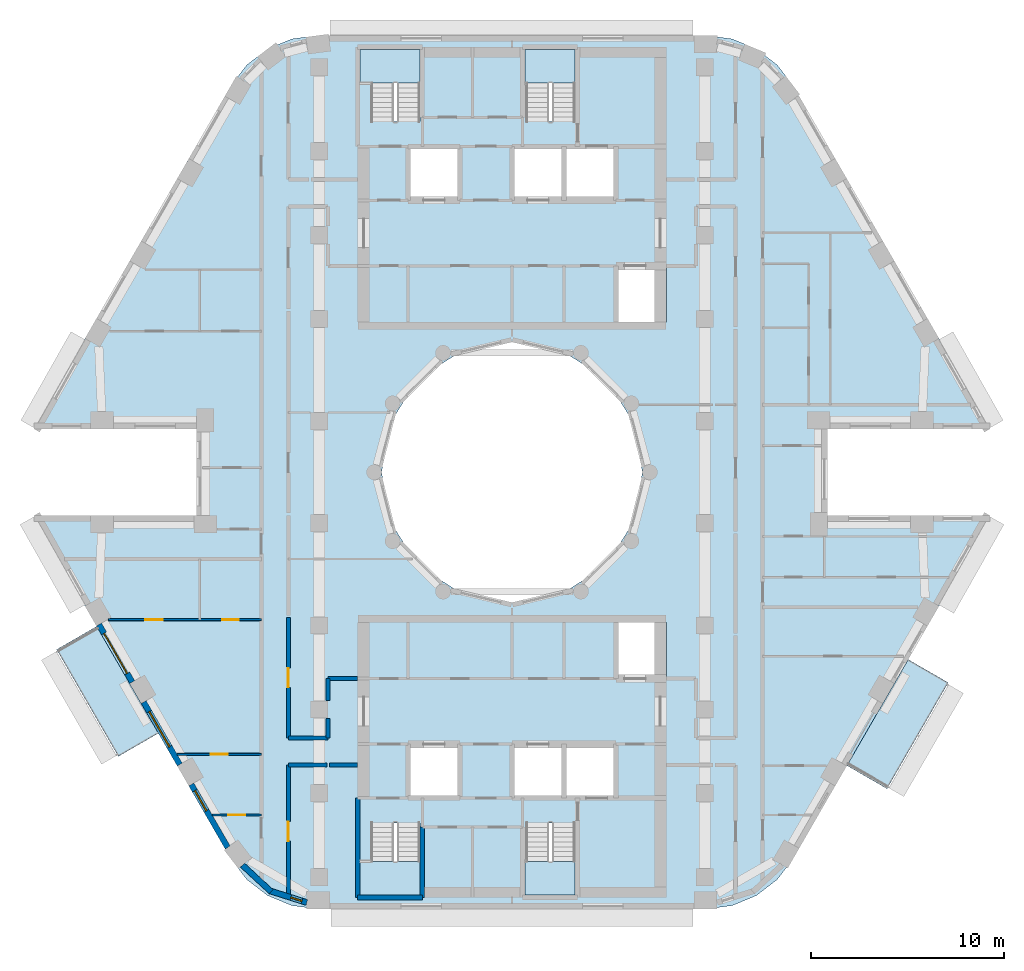
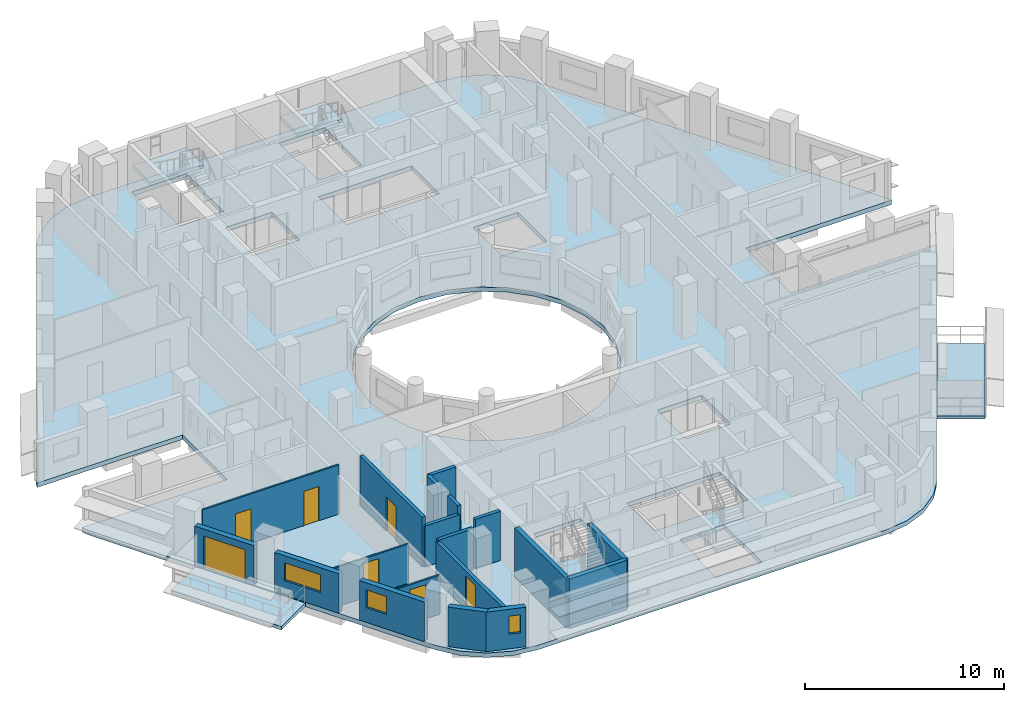
# One storey, part 2 of 16: 19 walls, 7 doors, 7 slabs, 3 windows, 10 openings, 4 elements without a shape of their own.
"""IFC4 building model written with IfcOpenShell, lengths in metres."""

from ifc_helpers import new_model, si_unit, direction, frame, frame_2d, origin, place, context, subcontext, project, spatial, polyline, rectangle, outline, extrude, material, layer, layer_set, type_object, element, fill, aggregate, save


model = new_model("IFC4")

# Units and contexts
model_context = context("Model", 3, precision=1e-05, world=origin(), true_north=direction((0.0, 1.0)))
body_context = subcontext(model_context, "Body", "Model", "MODEL_VIEW")
ifc_project = project(units=[si_unit("LENGTHUNIT", "METRE"), si_unit("AREAUNIT", "SQUARE_METRE"), si_unit("VOLUMEUNIT", "CUBIC_METRE"), si_unit("PLANEANGLEUNIT", "RADIAN"), si_unit("MASSUNIT", "GRAM", prefix="KILO")], contexts=[model_context])

# Site, building, storey
site_placement = place(None, origin())
site = spatial("IfcSite", under=ifc_project, at=site_placement, CompositionType="ELEMENT")
building_placement = place(site_placement, origin())
building = spatial("IfcBuilding", under=site, at=building_placement, Name="Nakaniwa Court", CompositionType="ELEMENT")
storey_placement = place(building_placement, frame((0.0, 0.0, 196.5)))
storey = spatial("IfcBuildingStorey", under=building, at=storey_placement, Name="L51", CompositionType="ELEMENT", Elevation=196.5)

# Slabs
ifc_material_1 = material(Name="Charcoal ceramic paver")
ifc_layer_1 = layer(ifc_material_1, 0.02, Name="Ceramic paver")
ifc_material_2 = material(Name="Cement sand screed")
ifc_layer_2 = layer(ifc_material_2, 0.03, Name="Falls screed")
ifc_material_3 = material(Name="Concrete C40/50", Category="concrete")
ifc_layer_3 = layer(ifc_material_3, 0.15, Name="Balcony slab")
ifc_layer_set_1 = layer_set([ifc_layer_1, ifc_layer_2, ifc_layer_3], Name="Concrete C40/50 balcony slab with ceramic paver finish")
slab_type_1 = type_object("IfcSlabType", Name="Balcony slab 200", PredefinedType="FLOOR", material=ifc_layer_set_1)
slab_1_placement = place(storey_placement, frame((0.0, 0.0, -0.25)))
element("IfcSlab", 1, at=slab_1_placement, inside=storey, type_object=slab_type_1, Name="L51 balcony 01", PredefinedType="FLOOR", context=body_context, shape_type="SweptSolid", body=[
    extrude(outline(polyline([(58.46142578125, 72.005859375), (61.660888671875, 66.464111328125), (59.58251953125, 65.26416015625), (56.383056640625, 70.805908203125), (58.46142578125, 72.005859375)])), origin(), (0.0, 0.0, 1.0), 0.199951171875),
])
slab_2_placement = place(storey_placement, frame((0.0, 0.0, -0.25)))
element("IfcSlab", 2, at=slab_2_placement, inside=storey, type_object=slab_type_1, Name="L51 balcony 02", PredefinedType="FLOOR", context=body_context, shape_type="SweptSolid", body=[
    extrude(outline(polyline([(97.370849609375, 64.787353515625), (100.546875, 70.287841796875), (102.625244140625, 69.087890625), (99.44921875, 63.58740234375), (97.370849609375, 64.787353515625)])), origin(), (0.0, 0.0, 1.0), 0.199951171875),
])
ifc_material_4 = material(Name="Concrete C80/100", Category="concrete")
ifc_layer_4 = layer(ifc_material_4, 0.27490234375)
ifc_layer_set_2 = layer_set([ifc_layer_4], Name="Concrete C80/100")
slab_type_2 = type_object("IfcSlabType", Name="Concrete C80/100 post tensioned floor slab 275", PredefinedType="FLOOR", material=ifc_layer_set_2)
slab_3_placement = place(storey_placement, frame((0.0, 0.0, -0.27490234375)))
element("IfcSlab", 3, at=slab_3_placement, inside=storey, type_object=slab_type_2, Name="FLOOR SLAB", PredefinedType="FLOOR", context=body_context, shape_type="SweptSolid", body=[
    extrude(outline(polyline([(96.349609375, 82.25), (104.7978515625, 82.25), (104.65283203125, 82.60009765625), (94.578125, 100.050048828125), (93.751708984375, 101.126953125), (92.6748046875, 101.953369140625), (91.420654296875, 102.472900390625), (90.07470703125, 102.64990234375), (69.92529296875, 102.64990234375), (68.579345703125, 102.472900390625), (67.3251953125, 101.953369140625), (66.248291015625, 101.126953125), (65.421875, 100.050048828125), (55.34716796875, 82.60009765625), (55.2021484375, 82.25), (63.650390625, 82.25), (63.650390625, 77.75), (55.2021484375, 77.75), (55.34716796875, 77.39990234375), (65.421875, 59.949951171875), (66.248291015625, 58.873046875), (67.3251953125, 58.046630859375), (68.579345703125, 57.527099609375), (69.92529296875, 57.35009765625), (90.07470703125, 57.35009765625), (91.420654296875, 57.527099609375), (92.6748046875, 58.046630859375), (93.751708984375, 58.873046875), (94.578125, 59.949951171875), (104.65283203125, 77.39990234375), (104.7978515625, 77.75), (96.349609375, 77.75), (96.349609375, 82.25)]), holes=[polyline([(81.501953125, 86.580810546875), (80.0, 86.75), (78.498046875, 86.580810546875), (77.0712890625, 86.08154296875), (75.79150390625, 85.27734375), (74.72265625, 84.20849609375), (73.91845703125, 82.9287109375), (73.419189453125, 81.501953125), (73.25, 80.0), (73.419189453125, 78.498046875), (73.91845703125, 77.0712890625), (74.72265625, 75.79150390625), (75.79150390625, 74.72265625), (77.0712890625, 73.91845703125), (78.498046875, 73.419189453125), (80.0, 73.25), (81.501953125, 73.419189453125), (82.9287109375, 73.91845703125), (84.20849609375, 74.72265625), (85.27734375, 75.79150390625), (86.08154296875, 77.0712890625), (86.580810546875, 78.498046875), (86.75, 80.0), (86.580810546875, 81.501953125), (86.08154296875, 82.9287109375), (85.27734375, 84.20849609375), (84.20849609375, 85.27734375), (82.9287109375, 86.08154296875), (81.501953125, 86.580810546875)]), polyline([(72.675048828125, 61.81005859375), (72.675048828125, 59.864990234375), (72.0849609375, 59.864990234375), (72.0849609375, 58.034912109375), (75.264892578125, 58.034912109375), (75.264892578125, 59.864990234375), (75.22509765625, 59.864990234375), (75.22509765625, 61.81005859375), (72.675048828125, 61.81005859375)]), polyline([(77.300048828125, 65.89990234375), (74.60009765625, 65.89990234375), (74.60009765625, 63.10009765625), (77.300048828125, 63.10009765625), (77.300048828125, 65.89990234375)]), polyline([(80.0, 65.89990234375), (80.0, 63.10009765625), (82.699951171875, 63.10009765625), (85.39990234375, 63.10009765625), (85.39990234375, 65.89990234375), (82.699951171875, 65.89990234375), (80.0, 65.89990234375)]), polyline([(77.300048828125, 96.89990234375), (74.60009765625, 96.89990234375), (74.60009765625, 94.10009765625), (77.300048828125, 94.10009765625), (77.300048828125, 96.89990234375)]), polyline([(80.0, 96.89990234375), (80.0, 94.10009765625), (82.699951171875, 94.10009765625), (85.39990234375, 94.10009765625), (85.39990234375, 96.89990234375), (82.699951171875, 96.89990234375), (80.0, 96.89990234375)]), polyline([(75.264892578125, 100.135009765625), (75.264892578125, 101.965087890625), (72.0849609375, 101.965087890625), (72.0849609375, 100.135009765625), (72.675048828125, 100.135009765625), (72.675048828125, 98.18994140625), (75.22509765625, 98.18994140625), (75.22509765625, 100.135009765625), (75.264892578125, 100.135009765625)]), polyline([(83.27490234375, 61.81005859375), (80.72509765625, 61.81005859375), (80.72509765625, 59.864990234375), (80.635009765625, 59.864990234375), (80.635009765625, 58.034912109375), (83.31494140625, 58.034912109375), (83.31494140625, 59.864990234375), (83.27490234375, 59.864990234375), (83.27490234375, 61.81005859375)]), polyline([(88.0, 72.199951171875), (85.39990234375, 72.199951171875), (85.39990234375, 69.300048828125), (88.0, 69.300048828125), (88.0, 72.199951171875)]), polyline([(88.0, 90.699951171875), (85.39990234375, 90.699951171875), (85.39990234375, 87.800048828125), (88.0, 87.800048828125), (88.0, 90.699951171875)]), polyline([(83.31494140625, 100.135009765625), (83.31494140625, 101.965087890625), (80.635009765625, 101.965087890625), (80.635009765625, 100.135009765625), (80.72509765625, 100.135009765625), (80.72509765625, 98.18994140625), (83.27490234375, 98.18994140625), (83.27490234375, 100.135009765625), (83.31494140625, 100.135009765625)])]), origin(), (0.0, 0.0, 1.0), 0.27490234375),
])

# Stair, slab
stair_type = type_object("IfcStairType", Name="Dog leg stair 1200 wide 18 risers", PredefinedType="HALF_TURN_STAIR", material=ifc_material_4)
stair_1_placement = place(storey_placement, origin())
stair_1 = element("IfcStair", 4, at=stair_1_placement, inside=storey, type_object=stair_type, Name="L51 Stair ST1", PredefinedType="HALF_TURN_STAIR")
ifc_layer_5 = layer(ifc_material_4, 0.199951171875)
ifc_layer_set_3 = layer_set([ifc_layer_5], Name="Concrete C80/100")
slab_type_3 = type_object("IfcSlabType", Name="Stair landing concrete", PredefinedType="LANDING", material=ifc_layer_set_3)
slab_4_placement = place(storey_placement, frame((0.0, 0.0, 1.449951171875)))
slab_4 = element("IfcSlab", 5, at=slab_4_placement, type_object=slab_type_3, Name="ST1 landing 1", PredefinedType="LANDING", context=body_context, shape_type="SweptSolid", body=[
    extrude(outline(polyline([(75.22509765625, 100.175048828125), (75.22509765625, 101.925048828125), (72.125, 101.925048828125), (72.125, 100.175048828125), (75.22509765625, 100.175048828125)])), origin(), (0.0, 0.0, 1.0), 0.199951171875),
])
aggregate(stair_1, [slab_4])

stair_2_placement = place(storey_placement, origin())
stair_2 = element("IfcStair", 6, at=stair_2_placement, inside=storey, type_object=stair_type, Name="L51 Stair ST2", PredefinedType="HALF_TURN_STAIR")
slab_5_placement = place(storey_placement, frame((0.0, 0.0, 1.449951171875)))
slab_5 = element("IfcSlab", 7, at=slab_5_placement, type_object=slab_type_3, Name="ST2 landing 1", PredefinedType="LANDING", context=body_context, shape_type="SweptSolid", body=[
    extrude(outline(polyline([(83.27490234375, 100.175048828125), (83.27490234375, 101.925048828125), (80.675048828125, 101.925048828125), (80.675048828125, 100.175048828125), (83.27490234375, 100.175048828125)])), origin(), (0.0, 0.0, 1.0), 0.199951171875),
])
aggregate(stair_2, [slab_5])

stair_3_placement = place(storey_placement, origin())
stair_3 = element("IfcStair", 8, at=stair_3_placement, inside=storey, type_object=stair_type, Name="L51 Stair ST3", PredefinedType="HALF_TURN_STAIR")
slab_6_placement = place(storey_placement, frame((0.0, 0.0, 1.449951171875)))
slab_6 = element("IfcSlab", 9, at=slab_6_placement, type_object=slab_type_3, Name="ST3 landing 1", PredefinedType="LANDING", context=body_context, shape_type="SweptSolid", body=[
    extrude(outline(polyline([(75.22509765625, 58.074951171875), (75.22509765625, 59.824951171875), (72.125, 59.824951171875), (72.125, 58.074951171875), (75.22509765625, 58.074951171875)])), origin(), (0.0, 0.0, 1.0), 0.199951171875),
])
aggregate(stair_3, [slab_6])

stair_4_placement = place(storey_placement, origin())
stair_4 = element("IfcStair", 10, at=stair_4_placement, inside=storey, type_object=stair_type, Name="L51 Stair ST4", PredefinedType="HALF_TURN_STAIR")
slab_7_placement = place(storey_placement, frame((0.0, 0.0, 1.449951171875)))
slab_7 = element("IfcSlab", 11, at=slab_7_placement, type_object=slab_type_3, Name="ST4 landing 1", PredefinedType="LANDING", context=body_context, shape_type="SweptSolid", body=[
    extrude(outline(polyline([(83.27490234375, 58.074951171875), (83.27490234375, 59.824951171875), (80.675048828125, 59.824951171875), (80.675048828125, 58.074951171875), (83.27490234375, 58.074951171875)])), origin(), (0.0, 0.0, 1.0), 0.199951171875),
])
aggregate(stair_4, [slab_7])

# Walls
ifc_material_5 = material(Name="Acoustic double stud partition")
ifc_layer_6 = layer(ifc_material_5, 0.199951171875)
ifc_layer_set_4 = layer_set([ifc_layer_6], Name="Acoustic double stud partition")
wall_type_1 = type_object("IfcWallType", Name="Acoustic double stud partition 200", PredefinedType="PARTITIONING", material=ifc_layer_set_4)
wall_1_placement = place(storey_placement, frame((68.39990234375, 64.824951171875, 0.0), z_axis=(0.0, 0.0, 1.0), x_axis=(1.0, 0.0, 0.0)))
element("IfcWall", 12, at=wall_1_placement, inside=storey, type_object=wall_type_1, Name="Partition PW-075", PredefinedType="PARTITIONING", context=body_context, shape_type="SweptSolid", body=[
    extrude(rectangle(XDim=2.012939453125, YDim=0.199951171875, at=frame_2d((1.00634765625, 0.0))), origin(), (0.0, 0.0, 1.0), 2.5048828125),
])
wall_2_placement = place(storey_placement, frame((70.527099609375, 64.824951171875, 0.0), z_axis=(0.0, 0.0, 1.0), x_axis=(1.0, 0.0, 0.0)))
element("IfcWall", 13, at=wall_2_placement, inside=storey, type_object=wall_type_1, Name="Partition PW-076", PredefinedType="PARTITIONING", context=body_context, shape_type="SweptSolid", body=[
    extrude(rectangle(XDim=1.472900390625, YDim=0.199951171875, at=frame_2d((0.736328125, 0.0))), origin(), (0.0, 0.0, 1.0), 3.02490234375),
])
wall_3_placement = place(storey_placement, frame((70.449951171875, 69.300048828125, 0.0), z_axis=(0.0, 0.0, 1.0), x_axis=(1.0, 0.0, 0.0)))
element("IfcWall", 14, at=wall_3_placement, inside=storey, type_object=wall_type_1, Name="Partition PW-080", PredefinedType="PARTITIONING", context=body_context, shape_type="SweptSolid", body=[
    extrude(rectangle(XDim=1.550048828125, YDim=0.199951171875, at=frame_2d((0.77490234375, 0.0))), origin(), (0.0, 0.0, 1.0), 3.02490234375),
])
wall_4_placement = place(storey_placement, frame((68.39990234375, 66.22509765625, 0.0), z_axis=(0.0, 0.0, 1.0), x_axis=(1.0, 0.0, 0.0)))
element("IfcWall", 15, at=wall_4_placement, inside=storey, type_object=wall_type_1, Name="Partition PW-086", PredefinedType="PARTITIONING", context=body_context, shape_type="SweptSolid", body=[
    extrude(rectangle(XDim=2.050048828125, YDim=0.199951171875, at=frame_2d((1.02490234375, 0.0))), origin(), (0.0, 0.0, 1.0), 2.5048828125),
])

# Wall, opening, door
wall_5_placement = place(storey_placement, frame((68.39990234375, 64.824951171875, 0.0), z_axis=(0.0, 0.0, 1.0), x_axis=(0.0, -1.0, 0.0)))
wall_5 = element("IfcWall", 16, at=wall_5_placement, inside=storey, type_object=wall_type_1, Name="Partition PW-096", PredefinedType="PARTITIONING", context=body_context, shape_type="SweptSolid", body=[
    extrude(rectangle(XDim=6.898681640625, YDim=0.199951171875, at=frame_2d((3.44921875, 0.0))), origin(), (0.0, 0.0, 1.0), 2.405029296875),
])
opening_1_placement = place(wall_5_placement, frame((2.949951171875, 0.0, 0.0)))
opening_1 = element("IfcOpeningElement", 17, at=opening_1_placement, cuts=wall_5, Name="Opening D-02-05", PredefinedType="OPENING", context=body_context, shape_type="SweptSolid", body=[
    extrude(rectangle(XDim=1.0, YDim=2.10009765625, at=frame_2d((0.5, 1.050048828125))), frame((0.0, 0.10986328125, 0.0), z_axis=(0.0, -1.0, 0.0), x_axis=(1.0, 0.0, 0.0)), (0.0, 0.0, 1.0), 0.219970703125),
])
ifc_material_6 = material(Name="Solid core timber door set, black veneer", Category="wood")
door_type_1 = type_object("IfcDoorType", Name="Internal door 1000", OperationType="NOTDEFINED", PredefinedType="DOOR", material=ifc_material_6)
door_1_placement = place(opening_1_placement, origin())
door_1 = element("IfcDoor", 18, at=door_1_placement, inside=storey, type_object=door_type_1, Name="Door D-02-05 L51-042", OperationType="SINGLE_SWING_LEFT", OverallHeight=2.10009765625, OverallWidth=1.0, PredefinedType="DOOR", context=body_context, shape_type="SweptSolid", body=[
    extrude(rectangle(XDim=1.0, YDim=2.10009765625, at=frame_2d((0.5, 1.050048828125))), frame((0.0, 0.02490234375, 0.0), z_axis=(0.0, -1.0, 0.0), x_axis=(1.0, 0.0, 0.0)), (0.0, 0.0, 1.0), 0.050048828125),
])
fill(opening_1, door_1)

wall_6_placement = place(storey_placement, frame((68.39990234375, 72.462890625, 0.0), z_axis=(0.0, 0.0, 1.0), x_axis=(0.0, -1.0, 0.0)))
wall_6 = element("IfcWall", 19, at=wall_6_placement, inside=storey, type_object=wall_type_1, Name="Partition PW-097", PredefinedType="PARTITIONING", context=body_context, shape_type="SweptSolid", body=[
    extrude(rectangle(XDim=6.23779296875, YDim=0.199951171875, at=frame_2d((3.118896484375, 0.0))), origin(), (0.0, 0.0, 1.0), 3.02490234375),
])
opening_2_placement = place(wall_6_placement, frame((2.6201171875, 0.0, 0.0)))
opening_2 = element("IfcOpeningElement", 20, at=opening_2_placement, cuts=wall_6, Name="Opening D-02-06", PredefinedType="OPENING", context=body_context, shape_type="SweptSolid", body=[
    extrude(rectangle(XDim=1.0, YDim=2.10009765625, at=frame_2d((0.5, 1.050048828125))), frame((0.0, 0.10986328125, 0.0), z_axis=(0.0, -1.0, 0.0), x_axis=(1.0, 0.0, 0.0)), (0.0, 0.0, 1.0), 0.219970703125),
])
door_2_placement = place(opening_2_placement, origin())
door_2 = element("IfcDoor", 21, at=door_2_placement, inside=storey, type_object=door_type_1, Name="Door D-02-06 L51-048", OperationType="SINGLE_SWING_LEFT", OverallHeight=2.10009765625, OverallWidth=1.0, PredefinedType="DOOR", context=body_context, shape_type="SweptSolid", body=[
    extrude(rectangle(XDim=1.0, YDim=2.10009765625, at=frame_2d((0.5, 1.050048828125))), frame((0.0, 0.02490234375, 0.0), z_axis=(0.0, -1.0, 0.0), x_axis=(1.0, 0.0, 0.0)), (0.0, 0.0, 1.0), 0.050048828125),
])
fill(opening_2, door_2)

# Walls
wall_7_placement = place(storey_placement, frame((70.449951171875, 66.22509765625, 0.0), z_axis=(0.0, 0.0, 1.0), x_axis=(0.0, 1.0, 0.0)))
element("IfcWall", 22, at=wall_7_placement, inside=storey, type_object=wall_type_1, Name="Partition PW-103", PredefinedType="PARTITIONING", context=body_context, shape_type="SweptSolid", body=[
    extrude(rectangle(XDim=1.0078125, YDim=0.199951171875, at=frame_2d((0.50390625, 0.0))), origin(), (0.0, 0.0, 1.0), 3.02490234375),
])
wall_8_placement = place(storey_placement, frame((70.449951171875, 68.167236328125, 0.0), z_axis=(0.0, 0.0, 1.0), x_axis=(0.0, 1.0, 0.0)))
element("IfcWall", 23, at=wall_8_placement, inside=storey, type_object=wall_type_1, Name="Partition PW-104", PredefinedType="PARTITIONING", context=body_context, shape_type="SweptSolid", body=[
    extrude(rectangle(XDim=1.1328125, YDim=0.199951171875, at=frame_2d((0.56640625, 0.0))), origin(), (0.0, 0.0, 1.0), 3.02490234375),
])

# Wall, opening, door
ifc_material_7 = material(Name="Charcoal ceramic cladding")
ifc_layer_7 = layer(ifc_material_7, 0.02, Name="Ceramic cladding")
ifc_material_8 = material(Name="Ventilated air cavity")
ifc_layer_8 = layer(ifc_material_8, 0.04, ventilated=True, Name="Ventilated cavity")
ifc_material_9 = material(Name="Mineral wool insulation")
ifc_layer_9 = layer(ifc_material_9, 0.1, Name="Insulation")
ifc_material_10 = material(Name="Cement bonded sheathing board")
ifc_layer_10 = layer(ifc_material_10, 0.012, Name="Sheathing")
ifc_material_11 = material(Name="Cold-formed galvanised stud frame with mineral wool infill")
ifc_layer_11 = layer(ifc_material_11, 0.1, Name="Stud frame")
ifc_material_12 = material(Name="Fire-rated gypsum plasterboard lining")
ifc_layer_12 = layer(ifc_material_12, 0.028, Name="Lining")
ifc_layer_set_5 = layer_set([ifc_layer_7, ifc_layer_8, ifc_layer_9, ifc_layer_10, ifc_layer_11, ifc_layer_12], Name="Charcoal ceramic faced external wall system")
wall_type_2 = type_object("IfcWallType", Name="Black ceramic faced external wall 300", PredefinedType="SOLIDWALL", material=ifc_layer_set_5)
wall_9_placement = place(storey_placement, frame((58.579345703125, 72.101806640625, 0.0), z_axis=(0.0, 0.0, 1.0), x_axis=(0.499955427682, -0.866051136095, 0.0)))
wall_9 = element("IfcWall", 24, at=wall_9_placement, inside=storey, type_object=wall_type_2, Name="L51 external wall 21", PredefinedType="SOLIDWALL", context=body_context, shape_type="SweptSolid", body=[
    extrude(rectangle(XDim=3.447021484375, YDim=0.300048828125, at=frame_2d((1.7236328125, 0.0))), origin(), (0.0, 0.0, 1.0), 2.425048828125),
])
opening_3_placement = place(wall_9_placement, frame((0.5234375, 0.0, 0.0)))
opening_3 = element("IfcOpeningElement", 25, at=opening_3_placement, cuts=wall_9, Name="Opening XD13.01", PredefinedType="OPENING", context=body_context, shape_type="SweptSolid", body=[
    extrude(rectangle(XDim=2.39990234375, YDim=2.0, at=frame_2d((1.199951171875, 1.0))), frame((0.0, 0.159912109375, 0.0), z_axis=(0.0, -1.0, 0.0), x_axis=(1.0, 0.0, 0.0)), (0.0, 0.0, 1.0), 0.320068359375),
])
ifc_material_13 = material(Name="Black powder-coated aluminium frame with dark laminated glass", Category="aluminium")
door_type_2 = type_object("IfcDoorType", Name="Balcony sliding door 2400x2000", OperationType="DOUBLE_DOOR_SLIDING", PredefinedType="DOOR", material=ifc_material_13)
door_3_placement = place(opening_3_placement, origin())
door_3 = element("IfcDoor", 26, at=door_3_placement, inside=storey, type_object=door_type_2, Name="L51 balcony sliding door 01", OperationType="DOUBLE_DOOR_SLIDING", OverallHeight=2.0, OverallWidth=2.39990234375, PredefinedType="DOOR", context=body_context, shape_type="SweptSolid", body=[
    extrude(rectangle(XDim=2.39990234375, YDim=2.0, at=frame_2d((1.199951171875, 1.0))), frame((0.0, 0.02490234375, 0.0), z_axis=(0.0, -1.0, 0.0), x_axis=(1.0, 0.0, 0.0)), (0.0, 0.0, 1.0), 0.050048828125),
])
fill(opening_3, door_3)

# Wall, opening, window
wall_10_placement = place(storey_placement, frame((60.898681640625, 68.083984375, 0.0), z_axis=(0.0, 0.0, 1.0), x_axis=(0.500059225181, -0.86599120741, 0.0)))
wall_10 = element("IfcWall", 27, at=wall_10_placement, inside=storey, type_object=wall_type_2, Name="L51 external wall 22", PredefinedType="SOLIDWALL", context=body_context, shape_type="SweptSolid", body=[
    extrude(rectangle(XDim=3.744140625, YDim=0.300048828125, at=frame_2d((1.8720703125, 0.0))), origin(), (0.0, 0.0, 1.0), 2.425048828125),
])
opening_4_placement = place(wall_10_placement, frame((0.57861328125, 0.0, 0.89990234375)))
opening_4 = element("IfcOpeningElement", 28, at=opening_4_placement, cuts=wall_10, Name="Opening W7.23", PredefinedType="OPENING", context=body_context, shape_type="SweptSolid", body=[
    extrude(rectangle(XDim=2.10009765625, YDim=1.10009765625, at=frame_2d((1.050048828125, 0.550048828125))), frame((0.0, 0.159912109375, 0.0), z_axis=(0.0, -1.0, 0.0), x_axis=(1.0, 0.0, 0.0)), (0.0, 0.0, 1.0), 0.320068359375),
])
ifc_material_14 = material(Name="Black anodised aluminium frame with dark low-E laminated double glazing", Category="aluminium")
window_type_1 = type_object("IfcWindowType", Name="Dark glass window 2100x1100 sill 900", PartitioningType="SINGLE_PANEL", PredefinedType="WINDOW", material=ifc_material_14)
window_1_placement = place(opening_4_placement, origin())
window_1 = element("IfcWindow", 29, at=window_1_placement, inside=storey, type_object=window_type_1, Name="L51 living window 22-0", OverallHeight=1.10009765625, OverallWidth=2.10009765625, PartitioningType="SINGLE_PANEL", PredefinedType="WINDOW", context=body_context, shape_type="SweptSolid", body=[
    extrude(rectangle(XDim=2.10009765625, YDim=1.10009765625, at=frame_2d((1.050048828125, 0.550048828125))), frame((0.0, 0.030029296875, 0.0), z_axis=(0.0, -1.0, 0.0), x_axis=(1.0, 0.0, 0.0)), (0.0, 0.0, 1.0), 0.06005859375),
])
fill(opening_4, window_1)

wall_11_placement = place(storey_placement, frame((63.366943359375, 63.809326171875, 0.0), z_axis=(0.0, 0.0, 1.0), x_axis=(0.499961087031, -0.866047869032, 0.0)))
wall_11 = element("IfcWall", 30, at=wall_11_placement, inside=storey, type_object=wall_type_2, Name="L51 external wall 23", PredefinedType="SOLIDWALL", context=body_context, shape_type="SweptSolid", body=[
    extrude(rectangle(XDim=3.778564453125, YDim=0.300048828125, at=frame_2d((1.88916015625, 0.0))), origin(), (0.0, 0.0, 1.0), 2.425048828125),
])
opening_5_placement = place(wall_11_placement, frame((0.375732421875, 0.0, 0.89990234375)))
opening_5 = element("IfcOpeningElement", 31, at=opening_5_placement, cuts=wall_11, Name="Opening W6.24", PredefinedType="OPENING", context=body_context, shape_type="SweptSolid", body=[
    extrude(rectangle(XDim=1.199951171875, YDim=1.10009765625, at=frame_2d((0.60009765625, 0.550048828125))), frame((0.0, 0.159912109375, 0.0), z_axis=(0.0, -1.0, 0.0), x_axis=(1.0, 0.0, 0.0)), (0.0, 0.0, 1.0), 0.320068359375),
])
window_type_2 = type_object("IfcWindowType", Name="Dark glass window 1200x1100 sill 900", PartitioningType="SINGLE_PANEL", PredefinedType="WINDOW", material=ifc_material_14)
window_2_placement = place(opening_5_placement, origin())
window_2 = element("IfcWindow", 32, at=window_2_placement, inside=storey, type_object=window_type_2, Name="L51 habitable room window 23-0", OverallHeight=1.10009765625, OverallWidth=1.199951171875, PartitioningType="SINGLE_PANEL", PredefinedType="WINDOW", context=body_context, shape_type="SweptSolid", body=[
    extrude(rectangle(XDim=1.199951171875, YDim=1.10009765625, at=frame_2d((0.60009765625, 0.550048828125))), frame((0.0, 0.030029296875, 0.0), z_axis=(0.0, -1.0, 0.0), x_axis=(1.0, 0.0, 0.0)), (0.0, 0.0, 1.0), 0.06005859375),
])
fill(opening_5, window_2)

# Wall
wall_12_placement = place(storey_placement, frame((66.0224609375, 59.622314453125, 0.0), z_axis=(0.0, 0.0, 1.0), x_axis=(0.734627852992, -0.678470277616, 0.0)))
element("IfcWall", 33, at=wall_12_placement, inside=storey, type_object=wall_type_2, Name="L51 external wall 24", PredefinedType="SOLIDWALL", context=body_context, shape_type="SweptSolid", body=[
    extrude(rectangle(XDim=2.02587890625, YDim=0.300048828125, at=frame_2d((1.012939453125, 0.0))), origin(), (0.0, 0.0, 1.0), 2.425048828125),
])

# Wall, opening, window
wall_13_placement = place(storey_placement, frame((67.40576171875, 58.3017578125, 0.0), z_axis=(0.0, 0.0, 1.0), x_axis=(0.953537608367, -0.301274010545, 0.0)))
wall_13 = element("IfcWall", 34, at=wall_13_placement, inside=storey, type_object=wall_type_2, Name="L51 external wall 25", PredefinedType="SOLIDWALL", context=body_context, shape_type="SweptSolid", body=[
    extrude(rectangle(XDim=2.0478515625, YDim=0.300048828125, at=frame_2d((1.02392578125, 0.0))), origin(), (0.0, 0.0, 1.0), 2.425048828125),
])
opening_6_placement = place(wall_13_placement, frame((1.1796875, 0.0, 0.89990234375)))
opening_6 = element("IfcOpeningElement", 35, at=opening_6_placement, cuts=wall_13, Name="Opening W8.25", PredefinedType="OPENING", context=body_context, shape_type="SweptSolid", body=[
    extrude(rectangle(XDim=0.60009765625, YDim=1.10009765625, at=frame_2d((0.300048828125, 0.550048828125))), frame((0.0, 0.159912109375, 0.0), z_axis=(0.0, -1.0, 0.0), x_axis=(1.0, 0.0, 0.0)), (0.0, 0.0, 1.0), 0.320068359375),
])
window_type_3 = type_object("IfcWindowType", Name="Dark glass window 600x1100 sill 900", PartitioningType="SINGLE_PANEL", PredefinedType="WINDOW", material=ifc_material_14)
window_3_placement = place(opening_6_placement, origin())
window_3 = element("IfcWindow", 36, at=window_3_placement, inside=storey, type_object=window_type_3, Name="L51 habitable room window 25-1", OverallHeight=1.10009765625, OverallWidth=0.60009765625, PartitioningType="SINGLE_PANEL", PredefinedType="WINDOW", context=body_context, shape_type="SweptSolid", body=[
    extrude(rectangle(XDim=0.60009765625, YDim=1.10009765625, at=frame_2d((0.300048828125, 0.550048828125))), frame((0.0, 0.030029296875, 0.0), z_axis=(0.0, -1.0, 0.0), x_axis=(1.0, 0.0, 0.0)), (0.0, 0.0, 1.0), 0.06005859375),
])
fill(opening_6, window_3)

# Walls
ifc_layer_13 = layer(ifc_material_4, 0.25)
ifc_layer_set_6 = layer_set([ifc_layer_13], Name="Concrete C80/100")
wall_type_3 = type_object("IfcWallType", Name="Concrete core wall 250 C80", PredefinedType="SHEAR", material=ifc_layer_set_6)
wall_14_placement = place(storey_placement, frame((72.0, 57.949951171875, -0.27490234375), z_axis=(0.0, 0.0, 1.0), x_axis=(0.0, 1.0, 0.0)))
element("IfcWall", 37, at=wall_14_placement, inside=storey, type_object=wall_type_3, Name="Core wall SW-59", PredefinedType="SHEAR", context=body_context, shape_type="SweptSolid", body=[
    extrude(rectangle(XDim=5.150146484375, YDim=0.25, at=frame_2d((2.5751953125, 0.0))), origin(), (0.0, 0.0, 1.0), 3.2998046875),
])
wall_15_placement = place(storey_placement, frame((72.0, 57.949951171875, -0.27490234375), z_axis=(0.0, 0.0, 1.0), x_axis=(1.0, 0.0, 0.0)))
element("IfcWall", 38, at=wall_15_placement, inside=storey, type_object=wall_type_3, Name="Core wall SW-60", PredefinedType="SHEAR", context=body_context, shape_type="SweptSolid", body=[
    extrude(rectangle(XDim=3.35009765625, YDim=0.25, at=frame_2d((1.675048828125, 0.0))), origin(), (0.0, 0.0, 1.0), 3.2998046875),
])
ifc_layer_14 = layer(ifc_material_4, 0.25)
ifc_layer_set_7 = layer_set([ifc_layer_14], Name="Concrete C80/100")
wall_type_4 = type_object("IfcWallType", Name="Concrete shaft wall 250 C80", PredefinedType="SHEAR", material=ifc_layer_set_7)
wall_16_placement = place(storey_placement, frame((75.35009765625, 57.949951171875, -0.27490234375), z_axis=(0.0, 0.0, 1.0), x_axis=(0.0, 1.0, 0.0)))
element("IfcWall", 39, at=wall_16_placement, inside=storey, type_object=wall_type_4, Name="Core wall SW-58", PredefinedType="SHEAR", context=body_context, shape_type="SweptSolid", body=[
    extrude(rectangle(XDim=3.653076171875, YDim=0.25, at=frame_2d((1.82666015625, 0.0))), origin(), (0.0, 0.0, 1.0), 3.2998046875),
])

# Wall, opening, door
ifc_material_15 = material(Name="Single stud plasterboard partition")
ifc_layer_15 = layer(ifc_material_15, 0.10009765625)
ifc_layer_set_8 = layer_set([ifc_layer_15], Name="Single stud plasterboard partition")
wall_type_5 = type_object("IfcWallType", Name="Single stud plasterboard partition 100", PredefinedType="PARTITIONING", material=ifc_layer_set_8)
wall_17_placement = place(storey_placement, frame((64.454833984375, 62.22509765625, 0.0), z_axis=(0.0, 0.0, 1.0), x_axis=(1.0, 0.0, 0.0)))
wall_17 = element("IfcWall", 40, at=wall_17_placement, inside=storey, type_object=wall_type_5, Name="Partition PW-111", PredefinedType="PARTITIONING", context=body_context, shape_type="SweptSolid", body=[
    extrude(rectangle(XDim=2.544189453125, YDim=0.10009765625, at=frame_2d((1.27197265625, 0.0))), origin(), (0.0, 0.0, 1.0), 2.405029296875),
])
opening_7_placement = place(wall_17_placement, frame((0.822021484375, 0.0, 0.0)))
opening_7 = element("IfcOpeningElement", 41, at=opening_7_placement, cuts=wall_17, Name="Opening D-33-08", PredefinedType="OPENING", context=body_context, shape_type="SweptSolid", body=[
    extrude(rectangle(XDim=0.89990234375, YDim=2.10009765625, at=frame_2d((0.449951171875, 1.050048828125))), frame((0.0, 0.06005859375, 0.0), z_axis=(0.0, -1.0, 0.0), x_axis=(1.0, 0.0, 0.0)), (0.0, 0.0, 1.0), 0.1201171875),
])
door_type_3 = type_object("IfcDoorType", Name="Internal door 900", OperationType="NOTDEFINED", PredefinedType="DOOR", material=ifc_material_6)
door_4_placement = place(opening_7_placement, origin())
door_4 = element("IfcDoor", 42, at=door_4_placement, inside=storey, type_object=door_type_3, Name="Door D-33-08 L51-044", OperationType="SINGLE_SWING_LEFT", OverallHeight=2.10009765625, OverallWidth=0.89990234375, PredefinedType="DOOR", context=body_context, shape_type="SweptSolid", body=[
    extrude(rectangle(XDim=0.89990234375, YDim=2.10009765625, at=frame_2d((0.449951171875, 1.050048828125))), frame((0.0, 0.02490234375, 0.0), z_axis=(0.0, -1.0, 0.0), x_axis=(1.0, 0.0, 0.0)), (0.0, 0.0, 1.0), 0.050048828125),
])
fill(opening_7, door_4)

wall_18_placement = place(storey_placement, frame((62.639404296875, 65.368896484375, 0.0), z_axis=(0.0, 0.0, 1.0), x_axis=(1.0, 0.0, 0.0)))
wall_18 = element("IfcWall", 43, at=wall_18_placement, inside=storey, type_object=wall_type_5, Name="Partition PW-128", PredefinedType="PARTITIONING", context=body_context, shape_type="SweptSolid", body=[
    extrude(rectangle(XDim=4.359619140625, YDim=0.10009765625, at=frame_2d((2.1796875, 0.0))), origin(), (0.0, 0.0, 1.0), 2.405029296875),
])
opening_8_placement = place(wall_18_placement, frame((1.72998046875, 0.0, 0.0)))
opening_8 = element("IfcOpeningElement", 44, at=opening_8_placement, cuts=wall_18, Name="Opening D-33-09", PredefinedType="OPENING", context=body_context, shape_type="SweptSolid", body=[
    extrude(rectangle(XDim=0.89990234375, YDim=2.10009765625, at=frame_2d((0.449951171875, 1.050048828125))), frame((0.0, 0.06005859375, 0.0), z_axis=(0.0, -1.0, 0.0), x_axis=(1.0, 0.0, 0.0)), (0.0, 0.0, 1.0), 0.1201171875),
])
door_5_placement = place(opening_8_placement, origin())
door_5 = element("IfcDoor", 45, at=door_5_placement, inside=storey, type_object=door_type_3, Name="Door D-33-09 L51-045", OperationType="SINGLE_SWING_RIGHT", OverallHeight=2.10009765625, OverallWidth=0.89990234375, PredefinedType="DOOR", context=body_context, shape_type="SweptSolid", body=[
    extrude(rectangle(XDim=0.89990234375, YDim=2.10009765625, at=frame_2d((0.449951171875, 1.050048828125))), frame((0.0, 0.02490234375, 0.0), z_axis=(0.0, -1.0, 0.0), x_axis=(1.0, 0.0, 0.0)), (0.0, 0.0, 1.0), 0.050048828125),
])
fill(opening_8, door_5)

# Wall, openings, doors
wall_19_placement = place(storey_placement, frame((59.067626953125, 72.35595703125, 0.0), z_axis=(0.0, 0.0, 1.0), x_axis=(1.0, 0.0, 0.0)))
wall_19 = element("IfcWall", 46, at=wall_19_placement, inside=storey, type_object=wall_type_5, Name="Partition PW-129", PredefinedType="PARTITIONING", context=body_context, shape_type="SweptSolid", body=[
    extrude(rectangle(XDim=7.931396484375, YDim=0.10009765625, at=frame_2d((3.9658203125, 0.0))), origin(), (0.0, 0.0, 1.0), 3.02490234375),
])
opening_9_placement = place(wall_19_placement, frame((5.906005859375, 0.0, 0.0)))
opening_9 = element("IfcOpeningElement", 47, at=opening_9_placement, cuts=wall_19, Name="Opening D-03-04", PredefinedType="OPENING", context=body_context, shape_type="SweptSolid", body=[
    extrude(rectangle(XDim=0.85009765625, YDim=2.10009765625, at=frame_2d((0.425048828125, 1.050048828125))), frame((0.0, 0.06005859375, 0.0), z_axis=(0.0, -1.0, 0.0), x_axis=(1.0, 0.0, 0.0)), (0.0, 0.0, 1.0), 0.1201171875),
])
opening_10_placement = place(wall_19_placement, frame((1.916015625, 0.0, 0.0)))
opening_10 = element("IfcOpeningElement", 48, at=opening_10_placement, cuts=wall_19, Name="Opening D-33-10", PredefinedType="OPENING", context=body_context, shape_type="SweptSolid", body=[
    extrude(rectangle(XDim=0.89990234375, YDim=2.10009765625, at=frame_2d((0.449951171875, 1.050048828125))), frame((0.0, 0.06005859375, 0.0), z_axis=(0.0, -1.0, 0.0), x_axis=(1.0, 0.0, 0.0)), (0.0, 0.0, 1.0), 0.1201171875),
])
ifc_material_16 = material(Name="Moisture sealed timber door set", Category="wood")
door_type_4 = type_object("IfcDoorType", Name="Bathroom door 850", OperationType="NOTDEFINED", PredefinedType="DOOR", material=ifc_material_16)
door_6_placement = place(opening_9_placement, origin())
door_6 = element("IfcDoor", 49, at=door_6_placement, inside=storey, type_object=door_type_4, Name="Door D-03-04 L51-046", OperationType="SINGLE_SWING_LEFT", OverallHeight=2.10009765625, OverallWidth=0.85009765625, PredefinedType="DOOR", context=body_context, shape_type="SweptSolid", body=[
    extrude(rectangle(XDim=0.85009765625, YDim=2.10009765625, at=frame_2d((0.425048828125, 1.050048828125))), frame((0.0, 0.02490234375, 0.0), z_axis=(0.0, -1.0, 0.0), x_axis=(1.0, 0.0, 0.0)), (0.0, 0.0, 1.0), 0.050048828125),
])
fill(opening_9, door_6)
door_7_placement = place(opening_10_placement, origin())
door_7 = element("IfcDoor", 50, at=door_7_placement, inside=storey, type_object=door_type_3, Name="Door D-33-10 L51-047", OperationType="SINGLE_SWING_RIGHT", OverallHeight=2.10009765625, OverallWidth=0.89990234375, PredefinedType="DOOR", context=body_context, shape_type="SweptSolid", body=[
    extrude(rectangle(XDim=0.89990234375, YDim=2.10009765625, at=frame_2d((0.449951171875, 1.050048828125))), frame((0.0, 0.02490234375, 0.0), z_axis=(0.0, -1.0, 0.0), x_axis=(1.0, 0.0, 0.0)), (0.0, 0.0, 1.0), 0.050048828125),
])
fill(opening_10, door_7)

save(model, "model.ifc")
